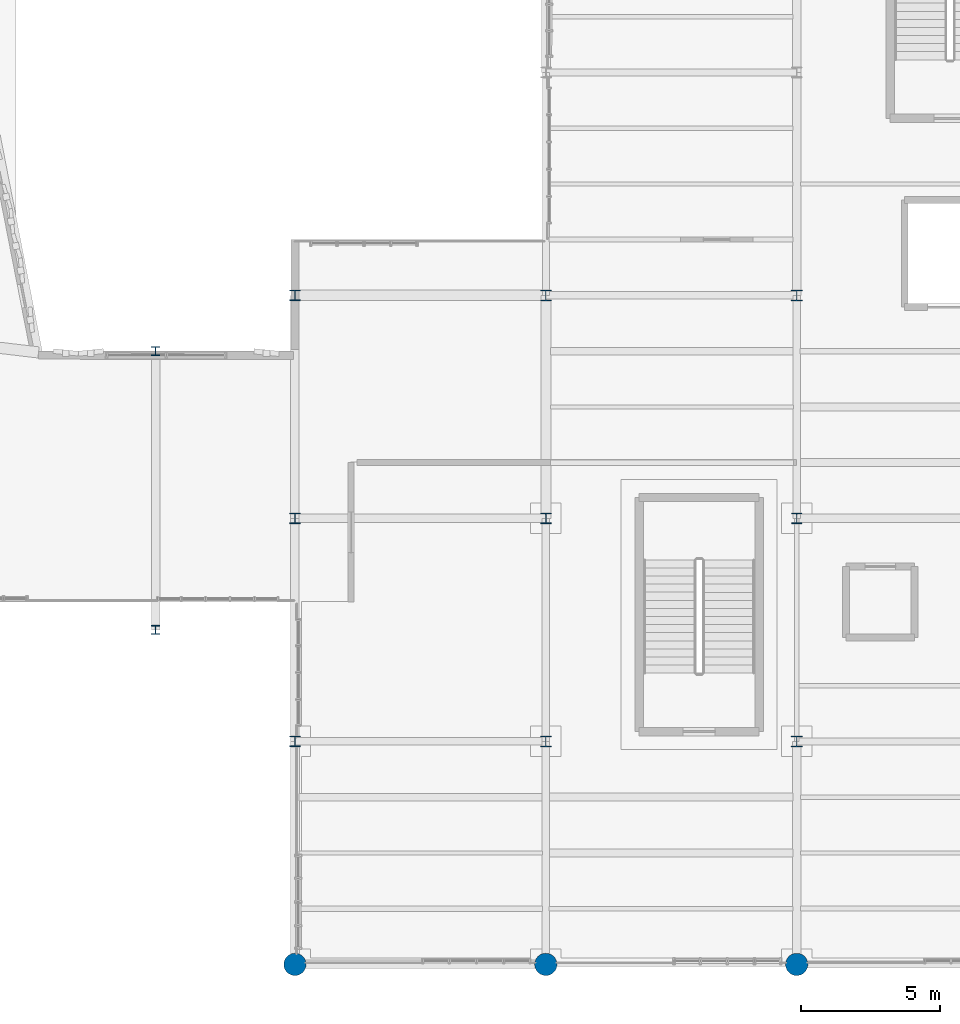
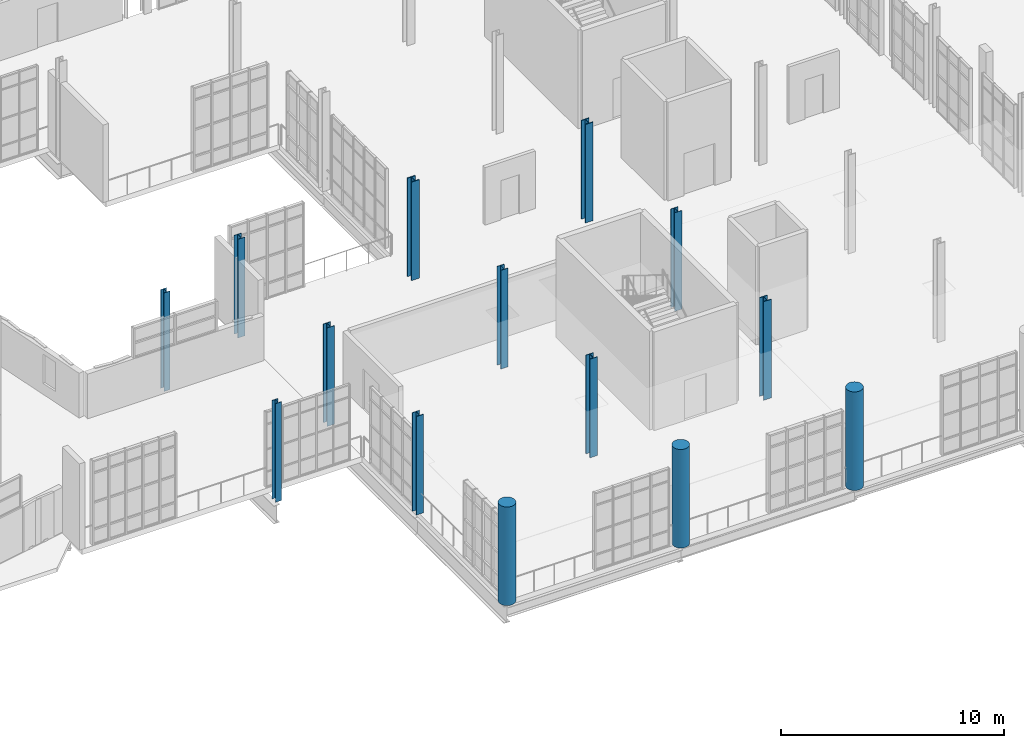
# One storey, part 6 of 142: 14 columns.
"""IFC4 building model written with IfcOpenShell, lengths in metres."""

from ifc_helpers import new_model, si_unit, direction, frame, origin, origin_2d, place, context, subcontext, project, spatial, circle, i_section, extrude, material, material_profile, profile_set, type_object, element, save


model = new_model("IFC4")

# Units and contexts
model_context = context("Model", 3, precision=1e-05, world=origin(), true_north=direction((0.0, 1.0)))
body_context = subcontext(model_context, "Body", "Model", "MODEL_VIEW")
ifc_project = project(units=[si_unit("LENGTHUNIT", "METRE"), si_unit("AREAUNIT", "SQUARE_METRE"), si_unit("VOLUMEUNIT", "CUBIC_METRE"), si_unit("PLANEANGLEUNIT", "RADIAN"), si_unit("MASSUNIT", "GRAM", prefix="KILO"), si_unit("THERMODYNAMICTEMPERATUREUNIT", "KELVIN"), si_unit("POWERUNIT", "WATT")], contexts=[model_context])

# Site, building, storey
site_placement = place(None, origin())
site = spatial("IfcSite", under=ifc_project, at=site_placement, CompositionType="ELEMENT")
building_placement = place(site_placement, origin())
building = spatial("IfcBuilding", under=site, at=building_placement, Name="Zelmaris Science Centre", CompositionType="ELEMENT")
storey_placement = place(building_placement, frame((0.0, 0.0, 5.39990234375)))
storey = spatial("IfcBuildingStorey", under=building, at=storey_placement, Name="L01", CompositionType="ELEMENT", Elevation=5.39990234375)

# Columns
ifc_material_1 = material(Name="Steel ASTM A992 Grade 50", Category="steel")
ifc_material_profile_1 = material_profile(ifc_material_1, i_section(OverallWidth=0.40087890625, OverallDepth=0.39892578125, WebThickness=0.02490234375, FlangeThickness=0.03955078125, FilletRadius=0.014892578125, at=origin_2d()), Name="W14X211")
ifc_profile_set_1 = profile_set([ifc_material_profile_1], Name="Steel ASTM A992 Grade 50")
column_type_1 = type_object("IfcColumnType", Name="Column C-03 W14X211", PredefinedType="COLUMN", material=ifc_profile_set_1)
for number, where, z_axis, x_axis, name in (
    (1, (117.0, 16.0, 0.0), (0.0, 0.0, 1.0), (1.0, 0.0, 0.0), "Column V4-C-117-16 L01"),
    (2, (117.0, 32.0, 0.0), (0.0, 0.0, 1.0), (1.0, 0.0, 0.0), "Column V4-C-117-32 L01"),
    (3, (126.0, 16.0, 0.0), (0.0, 0.0, 1.0), (1.0, 0.0, 0.0), "Column V4-C-126-16 L01"),
    (4, (126.0, 32.0, 0.0), (0.0, 0.0, 1.0), (1.0, 0.0, 0.0), "Column V4-C-126-32 L01"),
):
    element("IfcColumn", number, at=place(storey_placement, frame(where, z_axis=z_axis, x_axis=x_axis)), inside=storey, type_object=column_type_1, Name=name, PredefinedType="COLUMN", context=body_context, shape_type="SweptSolid", body=[
        extrude(i_section(OverallWidth=0.40087890625, OverallDepth=0.39892578125, WebThickness=0.02490234375, FlangeThickness=0.03955078125, FilletRadius=0.014892578125, at=origin_2d()), origin(), (0.0, 0.0, 1.0), 5.400146484375),
    ])
ifc_material_profile_2 = material_profile(ifc_material_1, i_section(OverallWidth=0.373046875, OverallDepth=0.367919921875, WebThickness=0.014892578125, FlangeThickness=0.02392578125, FilletRadius=0.014892578125, at=origin_2d()), Name="W14X120")
ifc_profile_set_2 = profile_set([ifc_material_profile_2], Name="Steel ASTM A992 Grade 50")
column_type_2 = type_object("IfcColumnType", Name="Column C-06 W14X120", PredefinedType="COLUMN", material=ifc_profile_set_2)
for number, where, z_axis, x_axis, name in (
    (5, (108.0, 16.0, 0.0), (0.0, 0.0, 1.0), (1.0, 0.0, 0.0), "Column V4-C-108-16 L01"),
    (6, (108.0, 24.0, 0.0), (0.0, 0.0, 1.0), (1.0, 0.0, 0.0), "Column V4-C-108-24 L01"),
    (7, (108.0, 32.0, 0.0), (0.0, 0.0, 1.0), (1.0, 0.0, 0.0), "Column V4-C-108-32 L01"),
    (8, (117.0, 24.0, 0.0), (0.0, 0.0, 1.0), (1.0, 0.0, 0.0), "Column V4-C-117-24 L01"),
    (9, (126.0, 24.0, 0.0), (0.0, 0.0, 1.0), (1.0, 0.0, 0.0), "Column V4-C-126-24 L01"),
):
    element("IfcColumn", number, at=place(storey_placement, frame(where, z_axis=z_axis, x_axis=x_axis)), inside=storey, type_object=column_type_2, Name=name, PredefinedType="COLUMN", context=body_context, shape_type="SweptSolid", body=[
        extrude(i_section(OverallWidth=0.373046875, OverallDepth=0.367919921875, WebThickness=0.014892578125, FlangeThickness=0.02392578125, FilletRadius=0.014892578125, at=origin_2d()), origin(), (0.0, 0.0, 1.0), 5.400146484375),
    ])
ifc_material_profile_3 = material_profile(ifc_material_1, i_section(OverallWidth=0.306884765625, OverallDepth=0.31494140625, WebThickness=0.011962890625, FlangeThickness=0.018798828125, FilletRadius=0.012939453125, at=origin_2d()), Name="W12X79")
ifc_profile_set_3 = profile_set([ifc_material_profile_3], Name="Steel ASTM A992 Grade 50")
column_type_3 = type_object("IfcColumnType", Name="Column C-08 W12X79", PredefinedType="COLUMN", material=ifc_profile_set_3)
for number, where, z_axis, x_axis, name in (
    (10, (103.0, 20.0, 0.0), (0.0, 0.0, 1.0), (1.0, 0.0, 0.0), "Column LK-E-20 L01"),
    (11, (103.0, 30.0, 0.0), (0.0, 0.0, 1.0), (1.0, 0.0, 0.0), "Column LK-E-30 L01"),
):
    element("IfcColumn", number, at=place(storey_placement, frame(where, z_axis=z_axis, x_axis=x_axis)), inside=storey, type_object=column_type_3, Name=name, PredefinedType="COLUMN", context=body_context, shape_type="SweptSolid", body=[
        extrude(i_section(OverallWidth=0.306884765625, OverallDepth=0.31494140625, WebThickness=0.011962890625, FlangeThickness=0.018798828125, FilletRadius=0.012939453125, at=origin_2d()), origin(), (0.0, 0.0, 1.0), 5.400146484375),
    ])
ifc_material_2 = material(Name="Yucatan limestone ashlar masonry", Category="masonry")
ifc_material_profile_4 = material_profile(ifc_material_2, circle(Radius=0.39990234375, at=origin_2d()), Name="COL-LIM-D800")
ifc_profile_set_4 = profile_set([ifc_material_profile_4], Name="Yucatan limestone ashlar masonry")
column_type_4 = type_object("IfcColumnType", Name="Column C-17 COL-LIM-D800", PredefinedType="COLUMN", material=ifc_profile_set_4)
for number, where, z_axis, x_axis, name in (
    (12, (108.0, 8.0, 0.0), (0.0, 0.0, 1.0), (1.0, 0.0, 0.0), "Column V4-C-108-8 L01"),
    (13, (117.0, 8.0, 0.0), (0.0, 0.0, 1.0), (1.0, 0.0, 0.0), "Column V4-C-117-8 L01"),
    (14, (126.0, 8.0, 0.0), (0.0, 0.0, 1.0), (1.0, 0.0, 0.0), "Column V4-C-126-8 L01"),
):
    element("IfcColumn", number, at=place(storey_placement, frame(where, z_axis=z_axis, x_axis=x_axis)), inside=storey, type_object=column_type_4, Name=name, PredefinedType="COLUMN", context=body_context, shape_type="SweptSolid", body=[
        extrude(circle(Radius=0.39990234375, at=origin_2d()), origin(), (0.0, 0.0, 1.0), 5.400146484375),
    ])

save(model, "model.ifc")
